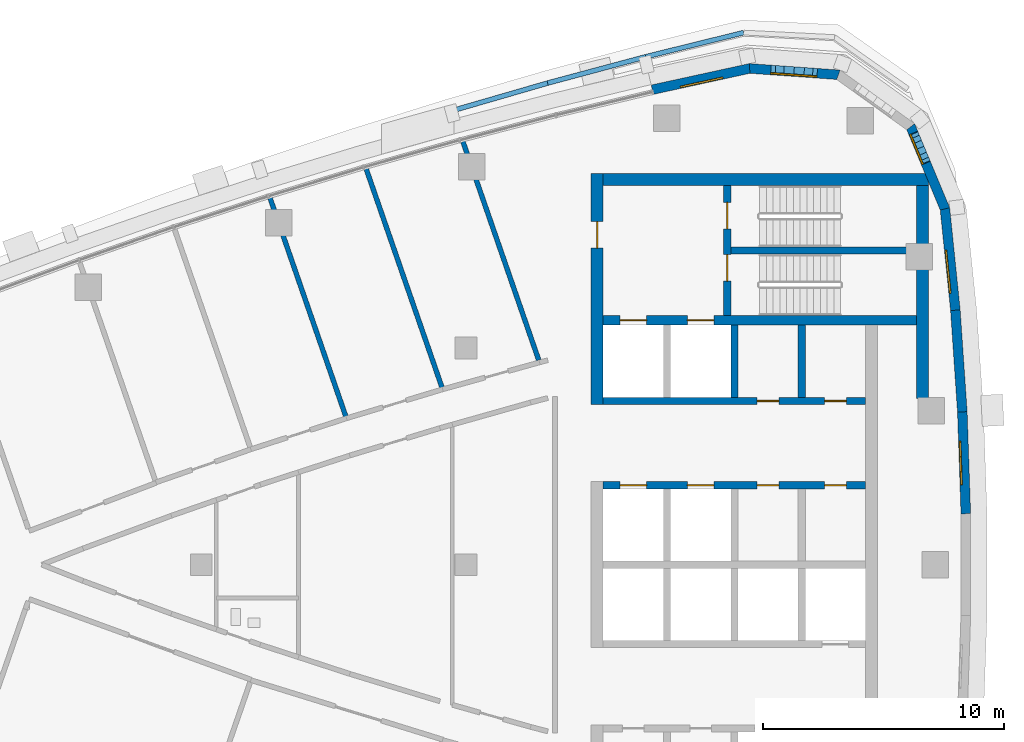
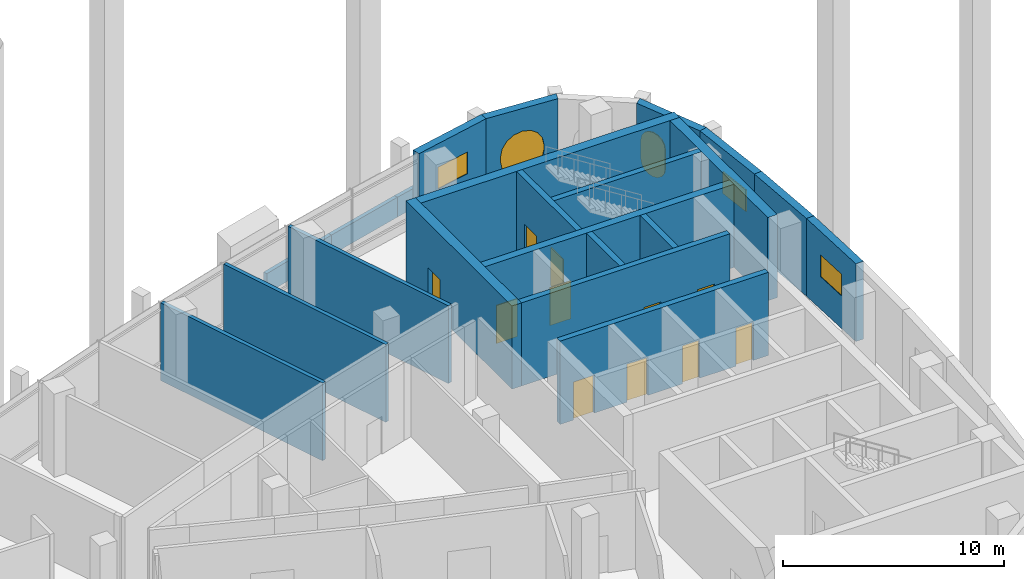
# One storey, part 9 of 15: 22 walls, 11 doors, 5 windows, 16 openings.
"""IFC4 building model written with IfcOpenShell, lengths in metres."""

from ifc_helpers import new_model, si_unit, direction, frame, frame_2d, origin, place, context, subcontext, project, spatial, polyline, rectangle, outline, extrude, material, layer, layer_set, type_object, element, fill, save


model = new_model("IFC4")

# Units and contexts
model_context = context("Model", 3, precision=1e-05, world=origin(), true_north=direction((0.0, 1.0)))
body_context = subcontext(model_context, "Body", "Model", "MODEL_VIEW")
ifc_project = project(units=[si_unit("LENGTHUNIT", "METRE"), si_unit("AREAUNIT", "SQUARE_METRE"), si_unit("VOLUMEUNIT", "CUBIC_METRE"), si_unit("PLANEANGLEUNIT", "RADIAN"), si_unit("MASSUNIT", "GRAM", prefix="KILO")], contexts=[model_context])

# Site, building, storey
site_placement = place(None, origin())
site = spatial("IfcSite", under=ifc_project, at=site_placement, CompositionType="ELEMENT")
building_placement = place(site_placement, origin())
building = spatial("IfcBuilding", under=site, at=building_placement, Name="Ostrand Prow Hotel Tower", CompositionType="ELEMENT")
storey_placement = place(building_placement, frame((0.0, 0.0, 263.300048828125)))
storey = spatial("IfcBuildingStorey", under=building, at=storey_placement, Name="L66", CompositionType="ELEMENT", Elevation=263.300048828125)

# Wall, openings, doors
ifc_material_1 = material(Name="Concrete C50/60", Category="concrete")
ifc_layer_1 = layer(ifc_material_1, 0.300048828125)
ifc_layer_set_1 = layer_set([ifc_layer_1], Name="Concrete C50/60")
wall_type_1 = type_object("IfcWallType", Name="Core wall 300 C50/60", PredefinedType="SHEAR", material=ifc_layer_set_1)
wall_1_placement = place(storey_placement, frame((50.699951171875, 3.300048828125, 0.0), z_axis=(0.0, 0.0, 1.0), x_axis=(1.0, 0.0, 0.0)))
wall_1 = element("IfcWall", 1, at=wall_1_placement, inside=storey, type_object=wall_type_1, Name="Core wall PW-L1-N", PredefinedType="SHEAR", context=body_context, shape_type="SweptSolid", body=[
    extrude(rectangle(XDim=10.900146484375, YDim=0.300048828125, at=frame_2d((5.4501953125, 0.0))), origin(), (0.0, 0.0, 1.0), 4.599853515625),
])
opening_1_placement = place(wall_1_placement, frame((0.699951171875, 0.0, 0.0)))
opening_1 = element("IfcOpeningElement", 2, at=opening_1_placement, cuts=wall_1, Name="Opening LD", PredefinedType="OPENING", context=body_context, shape_type="SweptSolid", body=[
    extrude(rectangle(XDim=1.10009765625, YDim=2.10009765625, at=frame_2d((0.550048828125, 1.050048828125))), frame((0.0, 0.159912109375, 0.0), z_axis=(0.0, -1.0, 0.0), x_axis=(1.0, 0.0, 0.0)), (0.0, 0.0, 1.0), 0.320068359375),
])
opening_2_placement = place(wall_1_placement, frame((3.5, 0.0, 0.0)))
opening_2 = element("IfcOpeningElement", 3, at=opening_2_placement, cuts=wall_1, Name="Opening LD", PredefinedType="OPENING", context=body_context, shape_type="SweptSolid", body=[
    extrude(rectangle(XDim=1.10009765625, YDim=2.10009765625, at=frame_2d((0.550048828125, 1.050048828125))), frame((0.0, 0.159912109375, 0.0), z_axis=(0.0, -1.0, 0.0), x_axis=(1.0, 0.0, 0.0)), (0.0, 0.0, 1.0), 0.320068359375),
])
opening_3_placement = place(wall_1_placement, frame((6.39990234375, 0.0, 0.0)))
opening_3 = element("IfcOpeningElement", 4, at=opening_3_placement, cuts=wall_1, Name="Opening FD2", PredefinedType="OPENING", context=body_context, shape_type="SweptSolid", body=[
    extrude(rectangle(XDim=0.89990234375, YDim=2.10009765625, at=frame_2d((0.449951171875, 1.050048828125))), frame((0.0, 0.159912109375, 0.0), z_axis=(0.0, -1.0, 0.0), x_axis=(1.0, 0.0, 0.0)), (0.0, 0.0, 1.0), 0.320068359375),
])
opening_4_placement = place(wall_1_placement, frame((9.199951171875, 0.0, 0.0)))
opening_4 = element("IfcOpeningElement", 5, at=opening_4_placement, cuts=wall_1, Name="Opening FD2", PredefinedType="OPENING", context=body_context, shape_type="SweptSolid", body=[
    extrude(rectangle(XDim=0.89990234375, YDim=2.10009765625, at=frame_2d((0.449951171875, 1.050048828125))), frame((0.0, 0.159912109375, 0.0), z_axis=(0.0, -1.0, 0.0), x_axis=(1.0, 0.0, 0.0)), (0.0, 0.0, 1.0), 0.320068359375),
])
ifc_material_2 = material(Name="Steel fire door", Category="steel")
door_type_1 = type_object("IfcDoorType", Name="Fire door 900 EI120", OperationType="SINGLE_SWING_LEFT", PredefinedType="DOOR", material=ifc_material_2)
door_1_placement = place(opening_3_placement, origin())
door_1 = element("IfcDoor", 6, at=door_1_placement, inside=storey, type_object=door_type_1, Name="DOOR", OperationType="SINGLE_SWING_LEFT", OverallHeight=2.10009765625, OverallWidth=0.89990234375, PredefinedType="DOOR", context=body_context, shape_type="SweptSolid", body=[
    extrude(rectangle(XDim=0.89990234375, YDim=2.10009765625, at=frame_2d((0.449951171875, 1.050048828125))), frame((0.0, 0.02490234375, 0.0), z_axis=(0.0, -1.0, 0.0), x_axis=(1.0, 0.0, 0.0)), (0.0, 0.0, 1.0), 0.050048828125),
])
fill(opening_3, door_1)
door_2_placement = place(opening_4_placement, origin())
door_2 = element("IfcDoor", 7, at=door_2_placement, inside=storey, type_object=door_type_1, Name="DOOR", OperationType="SINGLE_SWING_LEFT", OverallHeight=2.10009765625, OverallWidth=0.89990234375, PredefinedType="DOOR", context=body_context, shape_type="SweptSolid", body=[
    extrude(rectangle(XDim=0.89990234375, YDim=2.10009765625, at=frame_2d((0.449951171875, 1.050048828125))), frame((0.0, 0.02490234375, 0.0), z_axis=(0.0, -1.0, 0.0), x_axis=(1.0, 0.0, 0.0)), (0.0, 0.0, 1.0), 0.050048828125),
])
fill(opening_4, door_2)
ifc_material_3 = material(Name="Stainless steel door", Category="steel")
door_type_2 = type_object("IfcDoorType", Name="Lift landing door 1100", OperationType="DOUBLE_DOOR_SLIDING", PredefinedType="DOOR", material=ifc_material_3)
door_3_placement = place(opening_1_placement, origin())
door_3 = element("IfcDoor", 8, at=door_3_placement, inside=storey, type_object=door_type_2, Name="LIFT LANDING DOOR", OperationType="DOUBLE_DOOR_SLIDING", OverallHeight=2.10009765625, OverallWidth=1.10009765625, PredefinedType="DOOR", context=body_context, shape_type="SweptSolid", body=[
    extrude(rectangle(XDim=1.10009765625, YDim=2.10009765625, at=frame_2d((0.550048828125, 1.050048828125))), frame((0.0, 0.02490234375, 0.0), z_axis=(0.0, -1.0, 0.0), x_axis=(1.0, 0.0, 0.0)), (0.0, 0.0, 1.0), 0.050048828125),
])
fill(opening_1, door_3)
door_4_placement = place(opening_2_placement, origin())
door_4 = element("IfcDoor", 9, at=door_4_placement, inside=storey, type_object=door_type_2, Name="LIFT LANDING DOOR", OperationType="DOUBLE_DOOR_SLIDING", OverallHeight=2.10009765625, OverallWidth=1.10009765625, PredefinedType="DOOR", context=body_context, shape_type="SweptSolid", body=[
    extrude(rectangle(XDim=1.10009765625, YDim=2.10009765625, at=frame_2d((0.550048828125, 1.050048828125))), frame((0.0, 0.02490234375, 0.0), z_axis=(0.0, -1.0, 0.0), x_axis=(1.0, 0.0, 0.0)), (0.0, 0.0, 1.0), 0.050048828125),
])
fill(opening_2, door_4)

wall_2_placement = place(storey_placement, frame((50.699951171875, 6.800048828125, 0.0), z_axis=(0.0, 0.0, 1.0), x_axis=(1.0, 0.0, 0.0)))
wall_2 = element("IfcWall", 10, at=wall_2_placement, inside=storey, type_object=wall_type_1, Name="Core wall PW-L2-N", PredefinedType="SHEAR", context=body_context, shape_type="SweptSolid", body=[
    extrude(rectangle(XDim=10.900146484375, YDim=0.300048828125, at=frame_2d((5.4501953125, 0.0))), origin(), (0.0, 0.0, 1.0), 4.599853515625),
])
opening_5_placement = place(wall_2_placement, frame((6.39990234375, 0.0, 0.0)))
opening_5 = element("IfcOpeningElement", 11, at=opening_5_placement, cuts=wall_2, Name="Opening FD2", PredefinedType="OPENING", context=body_context, shape_type="SweptSolid", body=[
    extrude(rectangle(XDim=0.89990234375, YDim=2.10009765625, at=frame_2d((0.449951171875, 1.050048828125))), frame((0.0, 0.159912109375, 0.0), z_axis=(0.0, -1.0, 0.0), x_axis=(1.0, 0.0, 0.0)), (0.0, 0.0, 1.0), 0.320068359375),
])
opening_6_placement = place(wall_2_placement, frame((9.199951171875, 0.0, 0.0)))
opening_6 = element("IfcOpeningElement", 12, at=opening_6_placement, cuts=wall_2, Name="Opening FD2", PredefinedType="OPENING", context=body_context, shape_type="SweptSolid", body=[
    extrude(rectangle(XDim=0.89990234375, YDim=2.10009765625, at=frame_2d((0.449951171875, 1.050048828125))), frame((0.0, 0.159912109375, 0.0), z_axis=(0.0, -1.0, 0.0), x_axis=(1.0, 0.0, 0.0)), (0.0, 0.0, 1.0), 0.320068359375),
])
door_5_placement = place(opening_5_placement, origin())
door_5 = element("IfcDoor", 13, at=door_5_placement, inside=storey, type_object=door_type_1, Name="DOOR", OperationType="SINGLE_SWING_LEFT", OverallHeight=2.10009765625, OverallWidth=0.89990234375, PredefinedType="DOOR", context=body_context, shape_type="SweptSolid", body=[
    extrude(rectangle(XDim=0.89990234375, YDim=2.10009765625, at=frame_2d((0.449951171875, 1.050048828125))), frame((0.0, 0.02490234375, 0.0), z_axis=(0.0, -1.0, 0.0), x_axis=(1.0, 0.0, 0.0)), (0.0, 0.0, 1.0), 0.050048828125),
])
fill(opening_5, door_5)
door_6_placement = place(opening_6_placement, origin())
door_6 = element("IfcDoor", 14, at=door_6_placement, inside=storey, type_object=door_type_1, Name="DOOR", OperationType="SINGLE_SWING_LEFT", OverallHeight=2.10009765625, OverallWidth=0.89990234375, PredefinedType="DOOR", context=body_context, shape_type="SweptSolid", body=[
    extrude(rectangle(XDim=0.89990234375, YDim=2.10009765625, at=frame_2d((0.449951171875, 1.050048828125))), frame((0.0, 0.02490234375, 0.0), z_axis=(0.0, -1.0, 0.0), x_axis=(1.0, 0.0, 0.0)), (0.0, 0.0, 1.0), 0.050048828125),
])
fill(opening_6, door_6)

# Walls
for number, where, z_axis, x_axis, name in (
    (15, (56.14990234375, 6.949951171875, 0.0), (0.0, 0.0, 1.0), (0.0, 1.0, 0.0), "Core wall PW-R2-NA"),
    (16, (58.949951171875, 6.949951171875, 0.0), (0.0, 0.0, 1.0), (0.0, 1.0, 0.0), "Core wall PW-R3-NA"),
):
    element("IfcWall", number, at=place(storey_placement, frame(where, z_axis=z_axis, x_axis=x_axis)), inside=storey, type_object=wall_type_1, Name=name, PredefinedType="SHEAR", context=body_context, shape_type="SweptSolid", body=[
        extrude(rectangle(XDim=3.0, YDim=0.300048828125, at=frame_2d((1.5, 0.0))), origin(), (0.0, 0.0, 1.0), 4.599853515625),
    ])

# Wall, openings, doors
wall_3_placement = place(storey_placement, frame((55.85009765625, 10.35009765625, 0.0), z_axis=(0.0, 0.0, 1.0), x_axis=(0.0, 1.0, 0.0)))
wall_3 = element("IfcWall", 17, at=wall_3_placement, inside=storey, type_object=wall_type_1, Name="Core wall PW-VN", PredefinedType="SHEAR", context=body_context, shape_type="SweptSolid", body=[
    extrude(rectangle(XDim=5.39990234375, YDim=0.300048828125, at=frame_2d((2.699951171875, 0.0))), origin(), (0.0, 0.0, 1.0), 4.599853515625),
])
opening_7_placement = place(wall_3_placement, frame((1.429931640625, 0.0, 0.0)))
opening_7 = element("IfcOpeningElement", 18, at=opening_7_placement, cuts=wall_3, Name="Opening FD1", PredefinedType="OPENING", context=body_context, shape_type="SweptSolid", body=[
    extrude(rectangle(XDim=1.10009765625, YDim=2.10009765625, at=frame_2d((0.550048828125, 1.050048828125))), frame((0.0, 0.159912109375, 0.0), z_axis=(0.0, -1.0, 0.0), x_axis=(1.0, 0.0, 0.0)), (0.0, 0.0, 1.0), 0.320068359375),
])
opening_8_placement = place(wall_3_placement, frame((3.60009765625, 0.0, 0.0)))
opening_8 = element("IfcOpeningElement", 19, at=opening_8_placement, cuts=wall_3, Name="Opening FD1", PredefinedType="OPENING", context=body_context, shape_type="SweptSolid", body=[
    extrude(rectangle(XDim=1.10009765625, YDim=2.10009765625, at=frame_2d((0.550048828125, 1.050048828125))), frame((0.0, 0.159912109375, 0.0), z_axis=(0.0, -1.0, 0.0), x_axis=(1.0, 0.0, 0.0)), (0.0, 0.0, 1.0), 0.320068359375),
])
ifc_material_4 = material(Name="Steel fire door", Category="steel")
door_type_3 = type_object("IfcDoorType", Name="Fire door 1100 EI120", OperationType="SINGLE_SWING_RIGHT", PredefinedType="DOOR", material=ifc_material_4)
door_7_placement = place(opening_7_placement, origin())
door_7 = element("IfcDoor", 20, at=door_7_placement, inside=storey, type_object=door_type_3, Name="FIRE DOOR", OperationType="SINGLE_SWING_RIGHT", OverallHeight=2.10009765625, OverallWidth=1.10009765625, PredefinedType="DOOR", context=body_context, shape_type="SweptSolid", body=[
    extrude(rectangle(XDim=1.10009765625, YDim=2.10009765625, at=frame_2d((0.550048828125, 1.050048828125))), frame((0.0, 0.02490234375, 0.0), z_axis=(0.0, -1.0, 0.0), x_axis=(1.0, 0.0, 0.0)), (0.0, 0.0, 1.0), 0.050048828125),
])
fill(opening_7, door_7)
door_8_placement = place(opening_8_placement, origin())
door_8 = element("IfcDoor", 21, at=door_8_placement, inside=storey, type_object=door_type_3, Name="FIRE DOOR", OperationType="SINGLE_SWING_RIGHT", OverallHeight=2.10009765625, OverallWidth=1.10009765625, PredefinedType="DOOR", context=body_context, shape_type="SweptSolid", body=[
    extrude(rectangle(XDim=1.10009765625, YDim=2.10009765625, at=frame_2d((0.550048828125, 1.050048828125))), frame((0.0, 0.02490234375, 0.0), z_axis=(0.0, -1.0, 0.0), x_axis=(1.0, 0.0, 0.0)), (0.0, 0.0, 1.0), 0.050048828125),
])
fill(opening_8, door_8)

# Wall
wall_4_placement = place(storey_placement, frame((56.0, 13.050048828125, 0.0), z_axis=(0.0, 0.0, 1.0), x_axis=(1.0, 0.0, 0.0)))
element("IfcWall", 22, at=wall_4_placement, inside=storey, type_object=wall_type_1, Name="Core wall PW-ST13", PredefinedType="SHEAR", context=body_context, shape_type="SweptSolid", body=[
    extrude(rectangle(XDim=7.719970703125, YDim=0.300048828125, at=frame_2d((3.85986328125, 0.0))), origin(), (0.0, 0.0, 1.0), 4.599853515625),
])

# Wall, openings, doors
ifc_material_5 = material(Name="Concrete C50/60", Category="concrete")
ifc_layer_2 = layer(ifc_material_5, 0.39990234375)
ifc_layer_set_2 = layer_set([ifc_layer_2], Name="Concrete C50/60")
wall_type_2 = type_object("IfcWallType", Name="Core wall 400 C50/60", PredefinedType="SHEAR", material=ifc_layer_set_2)
wall_5_placement = place(storey_placement, frame((50.699951171875, 10.14990234375, 0.0), z_axis=(0.0, 0.0, 1.0), x_axis=(1.0, 0.0, 0.0)))
wall_5 = element("IfcWall", 23, at=wall_5_placement, inside=storey, type_object=wall_type_2, Name="Core wall PW-BN", PredefinedType="SHEAR", context=body_context, shape_type="SweptSolid", body=[
    extrude(rectangle(XDim=13.02001953125, YDim=0.39990234375, at=frame_2d((6.510009765625, 0.0))), origin(), (0.0, 0.0, 1.0), 4.599853515625),
])
opening_9_placement = place(wall_5_placement, frame((0.699951171875, 0.0, 0.0)))
opening_9 = element("IfcOpeningElement", 24, at=opening_9_placement, cuts=wall_5, Name="Opening LD", PredefinedType="OPENING", context=body_context, shape_type="SweptSolid", body=[
    extrude(rectangle(XDim=1.10009765625, YDim=2.10009765625, at=frame_2d((0.550048828125, 1.050048828125))), frame((0.0, 0.2099609375, 0.0), z_axis=(0.0, -1.0, 0.0), x_axis=(1.0, 0.0, 0.0)), (0.0, 0.0, 1.0), 0.419921875),
])
opening_10_placement = place(wall_5_placement, frame((3.5, 0.0, 0.0)))
opening_10 = element("IfcOpeningElement", 25, at=opening_10_placement, cuts=wall_5, Name="Opening LD", PredefinedType="OPENING", context=body_context, shape_type="SweptSolid", body=[
    extrude(rectangle(XDim=1.10009765625, YDim=2.10009765625, at=frame_2d((0.550048828125, 1.050048828125))), frame((0.0, 0.2099609375, 0.0), z_axis=(0.0, -1.0, 0.0), x_axis=(1.0, 0.0, 0.0)), (0.0, 0.0, 1.0), 0.419921875),
])
door_9_placement = place(opening_9_placement, origin())
door_9 = element("IfcDoor", 26, at=door_9_placement, inside=storey, type_object=door_type_2, Name="LIFT LANDING DOOR", OperationType="DOUBLE_DOOR_SLIDING", OverallHeight=2.10009765625, OverallWidth=1.10009765625, PredefinedType="DOOR", context=body_context, shape_type="SweptSolid", body=[
    extrude(rectangle(XDim=1.10009765625, YDim=2.10009765625, at=frame_2d((0.550048828125, 1.050048828125))), frame((0.0, 0.02490234375, 0.0), z_axis=(0.0, -1.0, 0.0), x_axis=(1.0, 0.0, 0.0)), (0.0, 0.0, 1.0), 0.050048828125),
])
fill(opening_9, door_9)
door_10_placement = place(opening_10_placement, origin())
door_10 = element("IfcDoor", 27, at=door_10_placement, inside=storey, type_object=door_type_2, Name="LIFT LANDING DOOR", OperationType="DOUBLE_DOOR_SLIDING", OverallHeight=2.10009765625, OverallWidth=1.10009765625, PredefinedType="DOOR", context=body_context, shape_type="SweptSolid", body=[
    extrude(rectangle(XDim=1.10009765625, YDim=2.10009765625, at=frame_2d((0.550048828125, 1.050048828125))), frame((0.0, 0.02490234375, 0.0), z_axis=(0.0, -1.0, 0.0), x_axis=(1.0, 0.0, 0.0)), (0.0, 0.0, 1.0), 0.050048828125),
])
fill(opening_10, door_10)

# Wall, opening, door
ifc_material_6 = material(Name="Concrete C50/60", Category="concrete")
ifc_layer_3 = layer(ifc_material_6, 0.5)
ifc_layer_set_3 = layer_set([ifc_layer_3], Name="Concrete C50/60")
wall_type_3 = type_object("IfcWallType", Name="Core wall 500 C50/60", PredefinedType="SHEAR", material=ifc_layer_set_3)
wall_6_placement = place(storey_placement, frame((50.449951171875, 6.64990234375, 0.0), z_axis=(0.0, 0.0, 1.0), x_axis=(0.0, 1.0, 0.0)))
wall_6 = element("IfcWall", 28, at=wall_6_placement, inside=storey, type_object=wall_type_3, Name="Core wall CW-W-N", PredefinedType="SHEAR", context=body_context, shape_type="SweptSolid", body=[
    extrude(rectangle(XDim=9.60009765625, YDim=0.5, at=frame_2d((4.800048828125, 0.0))), origin(), (0.0, 0.0, 1.0), 4.599853515625),
])
opening_11_placement = place(wall_6_placement, frame((6.5, 0.0, 0.0)))
opening_11 = element("IfcOpeningElement", 29, at=opening_11_placement, cuts=wall_6, Name="Opening FD1", PredefinedType="OPENING", context=body_context, shape_type="SweptSolid", body=[
    extrude(rectangle(XDim=1.10009765625, YDim=2.10009765625, at=frame_2d((0.550048828125, 1.050048828125))), frame((0.0, 0.260009765625, 0.0), z_axis=(0.0, -1.0, 0.0), x_axis=(1.0, 0.0, 0.0)), (0.0, 0.0, 1.0), 0.52001953125),
])
door_11_placement = place(opening_11_placement, origin())
door_11 = element("IfcDoor", 30, at=door_11_placement, inside=storey, type_object=door_type_3, Name="FIRE DOOR", OperationType="SINGLE_SWING_RIGHT", OverallHeight=2.10009765625, OverallWidth=1.10009765625, PredefinedType="DOOR", context=body_context, shape_type="SweptSolid", body=[
    extrude(rectangle(XDim=1.10009765625, YDim=2.10009765625, at=frame_2d((0.550048828125, 1.050048828125))), frame((0.0, 0.02490234375, 0.0), z_axis=(0.0, -1.0, 0.0), x_axis=(1.0, 0.0, 0.0)), (0.0, 0.0, 1.0), 0.050048828125),
])
fill(opening_11, door_11)

# Walls
wall_7_placement = place(storey_placement, frame((50.699951171875, 16.0, 0.0), z_axis=(0.0, 0.0, 1.0), x_axis=(1.0, 0.0, 0.0)))
element("IfcWall", 31, at=wall_7_placement, inside=storey, type_object=wall_type_3, Name="Core wall CW-N", PredefinedType="SHEAR", context=body_context, shape_type="SweptSolid", body=[
    extrude(rectangle(XDim=13.52001953125, YDim=0.5, at=frame_2d((6.760009765625, 0.0))), origin(), (0.0, 0.0, 1.0), 4.599853515625),
])
wall_8_placement = place(storey_placement, frame((63.969970703125, 6.9033203125, 0.0), z_axis=(0.0, 0.0, 1.0), x_axis=(0.0, 1.0, 0.0)))
element("IfcWall", 32, at=wall_8_placement, inside=storey, type_object=wall_type_3, Name="Core wall CW-E-N", PredefinedType="SHEAR", context=body_context, shape_type="SweptSolid", body=[
    extrude(rectangle(XDim=8.8466796875, YDim=0.5, at=frame_2d((4.42333984375, 0.0))), origin(), (0.0, 0.0, 1.0), 4.599853515625),
])
ifc_material_7 = material(Name="Plasterboard partition")
ifc_layer_4 = layer(ifc_material_7, 0.199951171875)
ifc_layer_set_4 = layer_set([ifc_layer_4], Name="Plasterboard partition")
wall_type_4 = type_object("IfcWallType", Name="Partition 200 key partition", PredefinedType="PARTITIONING", material=ifc_layer_set_4)
wall_9_placement = place(storey_placement, frame((40.0419921875, 6.063720703125, 0.0), z_axis=(0.0, 0.0, 1.0), x_axis=(-0.327710853631, 0.944778067279, 0.0)))
element("IfcWall", 33, at=wall_9_placement, inside=storey, type_object=wall_type_4, Name="KEY PARTITION", PredefinedType="PARTITIONING", context=body_context, shape_type="SweptSolid", body=[
    extrude(rectangle(XDim=9.707275390625, YDim=0.199951171875, at=frame_2d((4.853515625, 0.0))), origin(), (0.0, 0.0, 1.0), 4.300048828125),
])
wall_10_placement = place(storey_placement, frame((44.037841796875, 7.266845703125, 0.0), z_axis=(0.0, 0.0, 1.0), x_axis=(-0.327714576096, 0.944776776077, 0.0)))
element("IfcWall", 34, at=wall_10_placement, inside=storey, type_object=wall_type_4, Name="KEY PARTITION", PredefinedType="PARTITIONING", context=body_context, shape_type="SweptSolid", body=[
    extrude(rectangle(XDim=9.716796875, YDim=0.199951171875, at=frame_2d((4.8583984375, 0.0))), origin(), (0.0, 0.0, 1.0), 4.300048828125),
])
wall_11_placement = place(storey_placement, frame((48.02294921875, 8.5, 0.0), z_axis=(0.0, 0.0, 1.0), x_axis=(-0.327705598625, 0.944779890043, 0.0)))
element("IfcWall", 35, at=wall_11_placement, inside=storey, type_object=wall_type_4, Name="KEY PARTITION", PredefinedType="PARTITIONING", context=body_context, shape_type="SweptSolid", body=[
    extrude(rectangle(XDim=9.60986328125, YDim=0.199951171875, at=frame_2d((4.804931640625, 0.0))), origin(), (0.0, 0.0, 1.0), 4.300048828125),
])
ifc_material_8 = material(Name="Precast concrete C40/50", Category="concrete")
ifc_layer_5 = layer(ifc_material_8, 0.199951171875)
ifc_layer_set_5 = layer_set([ifc_layer_5], Name="Precast concrete C40/50")
wall_type_5 = type_object("IfcWallType", Name="Roof parapet 200 mm precast concrete", PredefinedType="PARAPET", material=ifc_layer_set_5)
wall_12_placement = place(storey_placement, frame((56.537841796875, 22.104736328125, 0.0), z_axis=(0.0, 0.0, 1.0), x_axis=(-0.970892517903, -0.239515591724, 0.0)))
element("IfcWall", 36, at=wall_12_placement, inside=storey, type_object=wall_type_5, Name="Roof parapet LPR0 3.18", PredefinedType="PARAPET", context=body_context, shape_type="SweptSolid", body=[
    extrude(rectangle(XDim=4.186279296875, YDim=0.199951171875, at=frame_2d((2.09326171875, 0.0))), origin(), (0.0, 0.0, 1.0), 1.099853515625),
])
wall_13_placement = place(storey_placement, frame((52.473388671875, 21.10205078125, 0.0), z_axis=(0.0, 0.0, 1.0), x_axis=(-0.965877060865, -0.259000971609, 0.0)))
element("IfcWall", 37, at=wall_13_placement, inside=storey, type_object=wall_type_5, Name="Roof parapet LPR0 3.19", PredefinedType="PARAPET", context=body_context, shape_type="SweptSolid", body=[
    extrude(rectangle(XDim=4.222900390625, YDim=0.199951171875, at=frame_2d((2.111328125, 0.0))), origin(), (0.0, 0.0, 1.0), 1.099853515625),
])
wall_14_placement = place(storey_placement, frame((48.39453125, 20.00830078125, 0.0), z_axis=(0.0, 0.0, 1.0), x_axis=(-0.960476446862, -0.278361267103, 0.0)))
element("IfcWall", 38, at=wall_14_placement, inside=storey, type_object=wall_type_5, Name="Roof parapet LPR0 3.20", PredefinedType="PARAPET", context=body_context, shape_type="SweptSolid", body=[
    extrude(rectangle(XDim=4.22314453125, YDim=0.199951171875, at=frame_2d((2.111572265625, 0.0))), origin(), (0.0, 0.0, 1.0), 1.099853515625),
])

# Wall, opening, window
ifc_material_9 = material(Name="Precast concrete C40/50", Category="concrete")
ifc_layer_6 = layer(ifc_material_9, 0.39990234375)
ifc_layer_set_6 = layer_set([ifc_layer_6], Name="Precast concrete C40/50")
wall_type_6 = type_object("IfcWallType", Name="Stone-faced precast wall 400 mm", PredefinedType="NOTDEFINED", material=ifc_layer_set_6)
wall_15_placement = place(storey_placement, frame((65.764404296875, 2.11669921875, 0.0), z_axis=(0.0, 0.0, 1.0), x_axis=(-0.034082898699, 0.999419009233, 0.0)))
wall_15 = element("IfcWall", 39, at=wall_15_placement, inside=storey, type_object=wall_type_6, Name="Stone-faced wall back 9", PredefinedType="NOTDEFINED", context=body_context, shape_type="SweptSolid", body=[
    extrude(outline(polyline([(-0.00341796875, -0.199951171875), (4.23681640625, -0.199951171875), (4.22998046875, 0.199951171875), (0.00341796875, 0.199951171875), (-0.00341796875, -0.199951171875)])), origin(), (0.0, 0.0, 1.0), 4.300048828125),
])
opening_12_placement = place(wall_15_placement, frame((1.216796875, 0.0, 1.800048828125)))
opening_12 = element("IfcOpeningElement", 40, at=opening_12_placement, cuts=wall_15, Name="Opening WC1", PredefinedType="OPENING", context=body_context, shape_type="SweptSolid", body=[
    extrude(rectangle(XDim=1.800048828125, YDim=1.199951171875, at=frame_2d((0.89990234375, 0.60009765625))), frame((0.0, 0.2099609375, 0.0), z_axis=(0.0, -1.0, 0.0), x_axis=(1.0, 0.0, 0.0)), (0.0, 0.0, 1.0), 0.419921875),
])
ifc_material_10 = material(Name="Insulated glass in bronze frame", Category="glass")
window_type_1 = type_object("IfcWindowType", Name="Sky lobby clerestory window 1800x1200", PartitioningType="SINGLE_PANEL", PredefinedType="WINDOW", material=ifc_material_10)
window_1_placement = place(opening_12_placement, origin())
window_1 = element("IfcWindow", 41, at=window_1_placement, inside=storey, type_object=window_type_1, Name="Window back 9.1", OverallHeight=1.199951171875, OverallWidth=1.800048828125, PartitioningType="SINGLE_PANEL", PredefinedType="WINDOW", context=body_context, shape_type="SweptSolid", body=[
    extrude(rectangle(XDim=1.800048828125, YDim=1.199951171875, at=frame_2d((0.89990234375, 0.60009765625))), frame((0.0, 0.169921875, 0.0), z_axis=(0.0, -1.0, 0.0), x_axis=(1.0, 0.0, 0.0)), (0.0, 0.0, 1.0), 0.06005859375),
])
fill(opening_12, window_1)

# Wall
wall_16_placement = place(storey_placement, frame((65.6201171875, 6.34765625, 0.0), z_axis=(0.0, 0.0, 1.0), x_axis=(-0.068279584479, 0.997666225921, 0.0)))
element("IfcWall", 42, at=wall_16_placement, inside=storey, type_object=wall_type_6, Name="Stone-faced wall back 10", PredefinedType="NOTDEFINED", context=body_context, shape_type="SweptSolid", body=[
    extrude(outline(polyline([(-0.00341796875, -0.199951171875), (4.23681640625, -0.199951171875), (4.22998046875, 0.199951171875), (0.00341796875, 0.199951171875), (-0.00341796875, -0.199951171875)])), origin(), (0.0, 0.0, 1.0), 4.300048828125),
])

# Wall, opening, window
wall_17_placement = place(storey_placement, frame((65.3310546875, 10.5712890625, 0.0), z_axis=(0.0, 0.0, 1.0), x_axis=(-0.102249826987, 0.994758751096, 0.0)))
wall_17 = element("IfcWall", 43, at=wall_17_placement, inside=storey, type_object=wall_type_6, Name="Stone-faced wall back 11", PredefinedType="NOTDEFINED", context=body_context, shape_type="SweptSolid", body=[
    extrude(outline(polyline([(-0.00341796875, -0.199951171875), (4.262939453125, -0.199951171875), (4.203857421875, 0.199951171875), (0.00341796875, 0.199951171875), (-0.00341796875, -0.199951171875)])), origin(), (0.0, 0.0, 1.0), 4.300048828125),
])
opening_13_placement = place(wall_17_placement, frame((0.716796875, 0.0, 1.800048828125)))
opening_13 = element("IfcOpeningElement", 44, at=opening_13_placement, cuts=wall_17, Name="Opening WC1", PredefinedType="OPENING", context=body_context, shape_type="SweptSolid", body=[
    extrude(rectangle(XDim=1.800048828125, YDim=1.199951171875, at=frame_2d((0.89990234375, 0.60009765625))), frame((0.0, 0.2099609375, 0.0), z_axis=(0.0, -1.0, 0.0), x_axis=(1.0, 0.0, 0.0)), (0.0, 0.0, 1.0), 0.419921875),
])
window_2_placement = place(opening_13_placement, origin())
window_2 = element("IfcWindow", 45, at=window_2_placement, inside=storey, type_object=window_type_1, Name="Window back 11.1", OverallHeight=1.199951171875, OverallWidth=1.800048828125, PartitioningType="SINGLE_PANEL", PredefinedType="WINDOW", context=body_context, shape_type="SweptSolid", body=[
    extrude(rectangle(XDim=1.800048828125, YDim=1.199951171875, at=frame_2d((0.89990234375, 0.60009765625))), frame((0.0, 0.169921875, 0.0), z_axis=(0.0, -1.0, 0.0), x_axis=(1.0, 0.0, 0.0)), (0.0, 0.0, 1.0), 0.06005859375),
])
fill(opening_13, window_2)

wall_18_placement = place(storey_placement, frame((64.898193359375, 14.782470703125, 0.0), z_axis=(0.0, 0.0, 1.0), x_axis=(-0.385285857918, 0.922797273343, 0.0)))
wall_18 = element("IfcWall", 46, at=wall_18_placement, inside=storey, type_object=wall_type_6, Name="Stone-faced wall back 12", PredefinedType="NOTDEFINED", context=body_context, shape_type="SweptSolid", body=[
    extrude(outline(polyline([(-0.029541015625, -0.199951171875), (3.75341796875, -0.199951171875), (3.64013671875, 0.199951171875), (0.029541015625, 0.199951171875), (-0.029541015625, -0.199951171875)])), origin(), (0.0, 0.0, 1.0), 4.300048828125),
])
opening_14_placement = place(wall_18_placement, frame((2.035400390625, 0.0, 0.60009765625)))
opening_14 = element("IfcOpeningElement", 47, at=opening_14_placement, cuts=wall_18, Name="Opening WP2-14", PredefinedType="OPENING", context=body_context, shape_type="SweptSolid", body=[
    extrude(outline(polyline([(0.0, 1.75), (0.05322265625, 2.017822265625), (0.205078125, 2.244873046875), (0.43212890625, 2.396728515625), (0.699951171875, 2.449951171875), (0.9677734375, 2.396728515625), (1.19482421875, 2.244873046875), (1.3466796875, 2.017822265625), (1.39990234375, 1.75), (1.39990234375, 0.699951171875), (1.3466796875, 0.43212890625), (1.19482421875, 0.205078125), (0.9677734375, 0.05322265625), (0.699951171875, 0.0), (0.43212890625, 0.05322265625), (0.205078125, 0.205078125), (0.05322265625, 0.43212890625), (0.0, 0.699951171875), (0.0, 1.75)])), frame((0.0, 0.2099609375, 0.0), z_axis=(0.0, -1.0, 0.0), x_axis=(1.0, 0.0, 0.0)), (0.0, 0.0, 1.0), 0.419921875),
])
ifc_material_11 = material(Name="Insulated glass in bronze frame", Category="glass")
window_type_2 = type_object("IfcWindowType", Name="Round-ended prow lounge window 1400x2450", PartitioningType="SINGLE_PANEL", PredefinedType="WINDOW", material=ifc_material_11)
window_3_placement = place(opening_14_placement, origin())
window_3 = element("IfcWindow", 48, at=window_3_placement, inside=storey, type_object=window_type_2, Name="Window back 12.1", OverallHeight=2.449951171875, OverallWidth=1.39990234375, PartitioningType="SINGLE_PANEL", PredefinedType="WINDOW", context=body_context, shape_type="SweptSolid", body=[
    extrude(outline(polyline([(0.0, 1.75), (0.05322265625, 2.017822265625), (0.205078125, 2.244873046875), (0.43212890625, 2.396728515625), (0.699951171875, 2.449951171875), (0.9677734375, 2.396728515625), (1.19482421875, 2.244873046875), (1.3466796875, 2.017822265625), (1.39990234375, 1.75), (1.39990234375, 0.699951171875), (1.3466796875, 0.43212890625), (1.19482421875, 0.205078125), (0.9677734375, 0.05322265625), (0.699951171875, 0.0), (0.43212890625, 0.05322265625), (0.205078125, 0.205078125), (0.05322265625, 0.43212890625), (0.0, 0.699951171875), (0.0, 1.75)])), frame((0.0, 0.169921875, 0.0), z_axis=(0.0, -1.0, 0.0), x_axis=(1.0, 0.0, 0.0)), (0.0, 0.0, 1.0), 0.06005859375),
])
fill(opening_14, window_3)

wall_19_placement = place(storey_placement, frame((60.472412109375, 20.3515625, 0.0), z_axis=(0.0, 0.0, 1.0), x_axis=(-0.99746272096, 0.071190731806, 0.0)))
wall_19 = element("IfcWall", 49, at=wall_19_placement, inside=storey, type_object=wall_type_6, Name="Stone-faced wall back 14", PredefinedType="NOTDEFINED", context=body_context, shape_type="SweptSolid", body=[
    extrude(outline(polyline([(-0.056640625, -0.199951171875), (3.7255859375, -0.199951171875), (3.66796875, 0.199951171875), (0.056640625, 0.199951171875), (-0.056640625, -0.199951171875)])), origin(), (0.0, 0.0, 1.0), 4.300048828125),
])
opening_15_placement = place(wall_19_placement, frame((0.748291015625, 0.0, 0.60009765625)))
opening_15 = element("IfcOpeningElement", 50, at=opening_15_placement, cuts=wall_19, Name="Opening WP2", PredefinedType="OPENING", context=body_context, shape_type="SweptSolid", body=[
    extrude(outline(polyline([(0.0, 1.35009765625), (0.083740234375, 1.77099609375), (0.322265625, 2.127685546875), (0.678955078125, 2.3662109375), (1.10009765625, 2.449951171875), (1.52099609375, 2.3662109375), (1.877685546875, 2.127685546875), (2.1162109375, 1.77099609375), (2.199951171875, 1.35009765625), (2.199951171875, 1.10009765625), (2.1162109375, 0.678955078125), (1.877685546875, 0.322265625), (1.52099609375, 0.083740234375), (1.10009765625, 0.0), (0.678955078125, 0.083740234375), (0.322265625, 0.322265625), (0.083740234375, 0.678955078125), (0.0, 1.099853515625), (0.0, 1.35009765625)])), frame((0.0, 0.2099609375, 0.0), z_axis=(0.0, -1.0, 0.0), x_axis=(1.0, 0.0, 0.0)), (0.0, 0.0, 1.0), 0.419921875),
])
ifc_material_12 = material(Name="Insulated glass in bronze frame", Category="glass")
window_type_3 = type_object("IfcWindowType", Name="Round-ended prow lounge window 2200x2450", PartitioningType="SINGLE_PANEL", PredefinedType="WINDOW", material=ifc_material_12)
window_4_placement = place(opening_15_placement, origin())
window_4 = element("IfcWindow", 51, at=window_4_placement, inside=storey, type_object=window_type_3, Name="Window back 14.1", OverallHeight=2.449951171875, OverallWidth=2.199951171875, PartitioningType="SINGLE_PANEL", PredefinedType="WINDOW", context=body_context, shape_type="SweptSolid", body=[
    extrude(outline(polyline([(0.0, 1.35009765625), (0.083740234375, 1.77099609375), (0.322265625, 2.127685546875), (0.678955078125, 2.3662109375), (1.10009765625, 2.449951171875), (1.52099609375, 2.3662109375), (1.877685546875, 2.127685546875), (2.1162109375, 1.77099609375), (2.199951171875, 1.35009765625), (2.199951171875, 1.10009765625), (2.1162109375, 0.678955078125), (1.877685546875, 0.322265625), (1.52099609375, 0.083740234375), (1.10009765625, 0.0), (0.678955078125, 0.083740234375), (0.322265625, 0.322265625), (0.083740234375, 0.678955078125), (0.0, 1.099853515625), (0.0, 1.35009765625)])), frame((0.0, 0.169921875, 0.0), z_axis=(0.0, -1.0, 0.0), x_axis=(1.0, 0.0, 0.0)), (0.0, 0.0, 1.0), 0.06005859375),
])
fill(opening_15, window_4)

wall_20_placement = place(storey_placement, frame((56.784912109375, 20.61474609375, 0.0), z_axis=(0.0, 0.0, 1.0), x_axis=(-0.977020225348, -0.213146614471, 0.0)))
wall_20 = element("IfcWall", 52, at=wall_20_placement, inside=storey, type_object=wall_type_6, Name="Stone-faced wall back 15", PredefinedType="NOTDEFINED", context=body_context, shape_type="SweptSolid", body=[
    extrude(outline(polyline([(-0.02880859375, -0.199951171875), (4.141845703125, -0.199951171875), (4.141845703125, 0.199951171875), (0.02880859375, 0.199951171875), (-0.02880859375, -0.199951171875)])), origin(), (0.0, 0.0, 1.0), 4.300048828125),
])
opening_16_placement = place(wall_20_placement, frame((1.1708984375, 0.0, 1.800048828125)))
opening_16 = element("IfcOpeningElement", 53, at=opening_16_placement, cuts=wall_20, Name="Opening WC1", PredefinedType="OPENING", context=body_context, shape_type="SweptSolid", body=[
    extrude(rectangle(XDim=1.800048828125, YDim=1.199951171875, at=frame_2d((0.89990234375, 0.60009765625))), frame((0.0, 0.2099609375, 0.0), z_axis=(0.0, -1.0, 0.0), x_axis=(1.0, 0.0, 0.0)), (0.0, 0.0, 1.0), 0.419921875),
])
window_5_placement = place(opening_16_placement, origin())
window_5 = element("IfcWindow", 54, at=window_5_placement, inside=storey, type_object=window_type_1, Name="Window back 15.1", OverallHeight=1.199951171875, OverallWidth=1.800048828125, PartitioningType="SINGLE_PANEL", PredefinedType="WINDOW", context=body_context, shape_type="SweptSolid", body=[
    extrude(rectangle(XDim=1.800048828125, YDim=1.199951171875, at=frame_2d((0.89990234375, 0.60009765625))), frame((0.0, 0.169921875, 0.0), z_axis=(0.0, -1.0, 0.0), x_axis=(1.0, 0.0, 0.0)), (0.0, 0.0, 1.0), 0.06005859375),
])
fill(opening_16, window_5)

save(model, "model.ifc")
